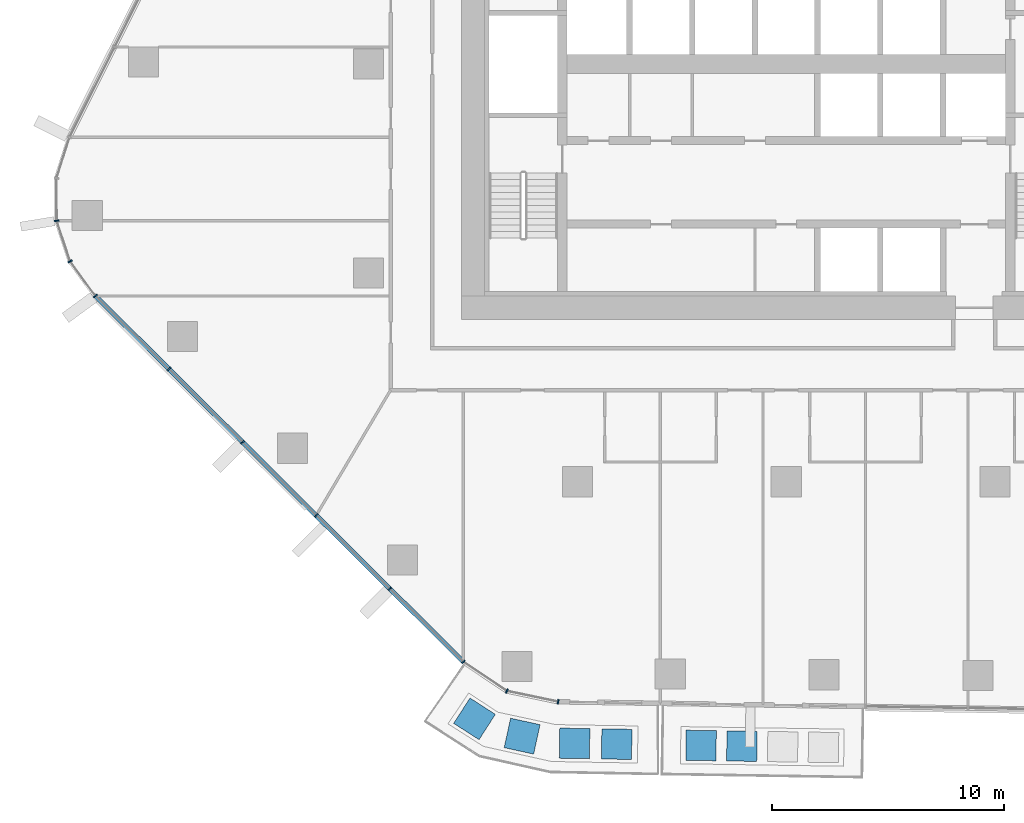
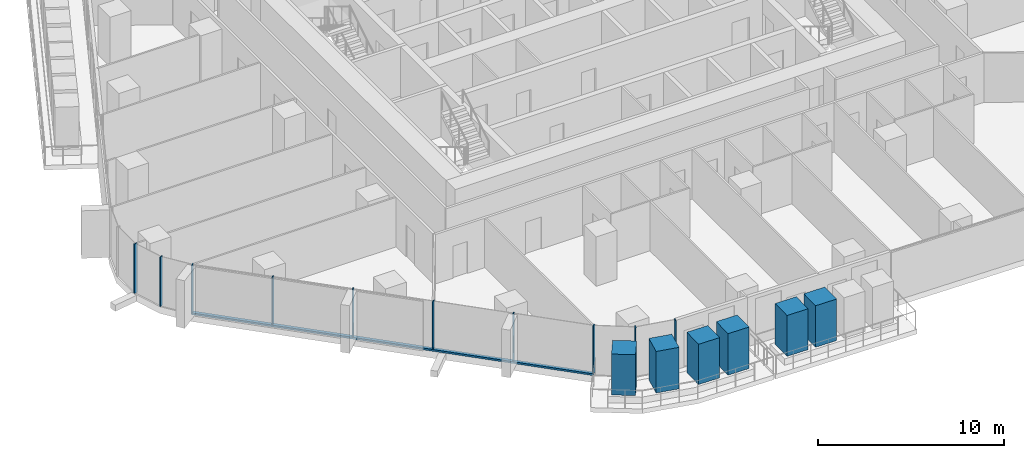
# One storey, part 2 of 24: 17 members, 3 elements without a shape of their own.
"""IFC4 building model written with IfcOpenShell, lengths in metres."""

from ifc_helpers import new_model, si_unit, direction, frame, origin, origin_2d, place, context, subcontext, project, spatial, rectangle, extrude, material, layer, layer_set, material_profile, profile_set, type_object, element, aggregate, save


model = new_model("IFC4")

# Units and contexts
model_context = context("Model", 3, precision=1e-05, world=origin(), true_north=direction((0.0, 1.0)))
body_context = subcontext(model_context, "Body", "Model", "MODEL_VIEW")
ifc_project = project(units=[si_unit("LENGTHUNIT", "METRE"), si_unit("AREAUNIT", "SQUARE_METRE"), si_unit("VOLUMEUNIT", "CUBIC_METRE"), si_unit("PLANEANGLEUNIT", "RADIAN"), si_unit("MASSUNIT", "GRAM", prefix="KILO")], contexts=[model_context])

# Site, building, storey
site_placement = place(None, origin())
site = spatial("IfcSite", under=ifc_project, at=site_placement, CompositionType="ELEMENT")
building_placement = place(site_placement, origin())
building = spatial("IfcBuilding", under=site, at=building_placement, Name="Dongbaek Canopy Tower", CompositionType="ELEMENT")
storey_placement = place(building_placement, frame((0.0, 0.0, 98.89990234375)))
storey = spatial("IfcBuildingStorey", under=building, at=storey_placement, Name="L20", CompositionType="ELEMENT", Elevation=98.89990234375)

# Curtain wall, members
ifc_material_1 = material(Name="Aluminium 6063-T6 pale anodised", Category="aluminium")
ifc_layer = layer(ifc_material_1, 0.199951171875)
ifc_layer_set = layer_set([ifc_layer], Name="CW-1 unitised tower curtain wall")
curtain_wall_type = type_object("IfcCurtainWallType", Name="CW-1 unitised tower curtain wall", PredefinedType="NOTDEFINED", material=ifc_layer_set)
curtain_wall_1_placement = place(storey_placement, origin())
curtain_wall_1 = element("IfcCurtainWall", 1, at=curtain_wall_1_placement, inside=storey, type_object=curtain_wall_type, Name="CW-1 curtain wall K3.1", PredefinedType="NOTDEFINED")
ifc_material_2 = material(Name="Aluminium 6063-T6 pale anodised", Category="aluminium")
ifc_material_profile_1 = material_profile(ifc_material_2, rectangle(XDim=0.199951171875, YDim=0.06005859375, at=origin_2d()), Name="CW-1 mullion 60 x 200")
ifc_profile_set_1 = profile_set([ifc_material_profile_1], Name="Aluminium 6063-T6 pale anodised")
member_type_1 = type_object("IfcMemberType", Name="CW-1 mullion 60 x 200", PredefinedType="MULLION", material=ifc_profile_set_1)
member_1_placement = place(storey_placement, frame((-31.437255859375, -6.75537109375, 0.0), z_axis=(0.0, 0.0, 1.0), x_axis=(-0.986927013659, -0.161167830876, 0.0)))
member_1 = element("IfcMember", 2, at=member_1_placement, type_object=member_type_1, Name="CW-1 mullion K3.1.3", PredefinedType="MULLION", context=body_context, shape_type="SweptSolid", body=[
    extrude(rectangle(XDim=0.199951171875, YDim=0.06005859375, at=origin_2d()), origin(), (0.0, 0.0, 1.0), 3.25),
])
member_2_placement = place(storey_placement, frame((-30.861328125, -8.502685546875, 0.0), z_axis=(0.0, 0.0, 1.0), x_axis=(-0.889270102172, -0.457382427934, 0.0)))
member_2 = element("IfcMember", 3, at=member_2_placement, type_object=member_type_1, Name="CW-1 mullion K3.1.4", PredefinedType="MULLION", context=body_context, shape_type="SweptSolid", body=[
    extrude(rectangle(XDim=0.199951171875, YDim=0.06005859375, at=origin_2d()), origin(), (0.0, 0.0, 1.0), 3.25),
])
member_3_placement = place(storey_placement, frame((-29.770263671875, -9.993896484375, 0.0), z_axis=(0.0, 0.0, 1.0), x_axis=(-0.80706183949, -0.59046692307, 0.0)))
member_3 = element("IfcMember", 4, at=member_3_placement, type_object=member_type_1, Name="CW-1 mullion K3.1.5", PredefinedType="MULLION", context=body_context, shape_type="SweptSolid", body=[
    extrude(rectangle(XDim=0.199951171875, YDim=0.06005859375, at=origin_2d()), origin(), (0.0, 0.0, 1.0), 3.25),
])
aggregate(curtain_wall_1, [member_1, member_2, member_3])

curtain_wall_2_placement = place(storey_placement, origin())
curtain_wall_2 = element("IfcCurtainWall", 5, at=curtain_wall_2_placement, inside=storey, type_object=curtain_wall_type, Name="CW-1 curtain wall F3.1", PredefinedType="NOTDEFINED")
member_4_placement = place(storey_placement, frame((-26.6025390625, -13.143798828125, 0.1201171875), z_axis=(0.0, 0.0, 1.0), x_axis=(-0.705105030819, -0.709102880768, 0.0)))
member_4 = element("IfcMember", 6, at=member_4_placement, type_object=member_type_1, Name="CW-1 mullion F3.1.2", PredefinedType="MULLION", context=body_context, shape_type="SweptSolid", body=[
    extrude(rectangle(XDim=0.199951171875, YDim=0.06005859375, at=origin_2d()), origin(), (0.0, 0.0, 1.0), 3.1298828125),
])
member_5_placement = place(storey_placement, frame((-23.42919921875, -16.299072265625, 0.1201171875), z_axis=(0.0, 0.0, 1.0), x_axis=(-0.705105030819, -0.709102880768, 0.0)))
member_5 = element("IfcMember", 7, at=member_5_placement, type_object=member_type_1, Name="CW-1 mullion F3.1.3", PredefinedType="MULLION", context=body_context, shape_type="SweptSolid", body=[
    extrude(rectangle(XDim=0.199951171875, YDim=0.06005859375, at=origin_2d()), origin(), (0.0, 0.0, 1.0), 3.1298828125),
])
member_6_placement = place(storey_placement, frame((-20.256103515625, -19.45458984375, 0.1201171875), z_axis=(0.0, 0.0, 1.0), x_axis=(-0.705105030819, -0.709102880768, 0.0)))
member_6 = element("IfcMember", 8, at=member_6_placement, type_object=member_type_1, Name="CW-1 mullion F3.1.4", PredefinedType="MULLION", context=body_context, shape_type="SweptSolid", body=[
    extrude(rectangle(XDim=0.199951171875, YDim=0.06005859375, at=origin_2d()), origin(), (0.0, 0.0, 1.0), 3.1298828125),
])
member_7_placement = place(storey_placement, frame((-17.082763671875, -22.60986328125, 0.1201171875), z_axis=(0.0, 0.0, 1.0), x_axis=(-0.705105030819, -0.709102880768, 0.0)))
member_7 = element("IfcMember", 9, at=member_7_placement, type_object=member_type_1, Name="CW-1 mullion F3.1.5", PredefinedType="MULLION", context=body_context, shape_type="SweptSolid", body=[
    extrude(rectangle(XDim=0.199951171875, YDim=0.06005859375, at=origin_2d()), origin(), (0.0, 0.0, 1.0), 3.1298828125),
])
member_8_placement = place(storey_placement, frame((-13.91650390625, -25.75830078125, 0.1201171875), z_axis=(0.0, 0.0, 1.0), x_axis=(-0.705105030819, -0.709102880768, 0.0)))
member_8 = element("IfcMember", 10, at=member_8_placement, type_object=member_type_1, Name="CW-1 mullion F3.1.6", PredefinedType="MULLION", context=body_context, shape_type="SweptSolid", body=[
    extrude(rectangle(XDim=0.199951171875, YDim=0.06005859375, at=origin_2d()), origin(), (0.0, 0.0, 1.0), 3.1298828125),
])

curtain_wall_3_placement = place(storey_placement, origin())
curtain_wall_3 = element("IfcCurtainWall", 11, at=curtain_wall_3_placement, inside=storey, type_object=curtain_wall_type, Name="CW-1 curtain wall K4.1", PredefinedType="NOTDEFINED")
member_9_placement = place(storey_placement, frame((-12.040771484375, -27.016357421875, 0.0), z_axis=(0.0, 0.0, 1.0), x_axis=(-0.38849005689, -0.921452915616, 0.0)))
member_9 = element("IfcMember", 12, at=member_9_placement, type_object=member_type_1, Name="CW-1 mullion K4.1.2", PredefinedType="MULLION", context=body_context, shape_type="SweptSolid", body=[
    extrude(rectangle(XDim=0.199951171875, YDim=0.06005859375, at=origin_2d()), origin(), (0.0, 0.0, 1.0), 3.25),
])
member_10_placement = place(storey_placement, frame((-9.830810546875, -27.48095703125, 0.0), z_axis=(0.0, 0.0, 1.0), x_axis=(-0.205723466931, -0.978610165057, 0.0)))
member_10 = element("IfcMember", 13, at=member_10_placement, type_object=member_type_1, Name="CW-1 mullion K4.1.3", PredefinedType="MULLION", context=body_context, shape_type="SweptSolid", body=[
    extrude(rectangle(XDim=0.199951171875, YDim=0.06005859375, at=origin_2d()), origin(), (0.0, 0.0, 1.0), 3.25),
])
aggregate(curtain_wall_3, [member_9, member_10])

# Member
ifc_material_3 = material(Name="Aluminium 6063-T6 pale anodised", Category="aluminium")
ifc_material_profile_2 = material_profile(ifc_material_3, rectangle(XDim=0.199951171875, YDim=0.1201171875, at=origin_2d()), Name="CW-1 transom 120 x 200")
ifc_profile_set_2 = profile_set([ifc_material_profile_2], Name="Aluminium 6063-T6 pale anodised")
member_type_2 = type_object("IfcMemberType", Name="CW-1 transom 120 x 200", PredefinedType="USERDEFINED", material=ifc_profile_set_2)
member_11_placement = place(storey_placement, frame((-29.770263671875, -9.993896484375, 0.06005859375), z_axis=(0.709102289991, -0.705105624945, 0.0), x_axis=(0.705105624945, 0.709102289991, 0.0)))
member_11 = element("IfcMember", 14, at=member_11_placement, type_object=member_type_2, Name="CW-1 transom F3.1.1", ObjectType="TRANSOM", PredefinedType="USERDEFINED", context=body_context, shape_type="SweptSolid", body=[
    extrude(rectangle(XDim=0.199951171875, YDim=0.1201171875, at=origin_2d()), origin(), (0.0, 0.0, 1.0), 22.357421875),
])

aggregate(curtain_wall_2, [member_4, member_5, member_6, member_7, member_8, member_11])

# Members
ifc_material_4 = material(Name="Concrete C40/50 planter mass with planting", Category="concrete")
ifc_material_profile_3 = material_profile(ifc_material_4, rectangle(XDim=1.300048828125, YDim=1.300048828125, at=origin_2d()), Name="Terrace PLANTER shrub mass 1300 x 1300")
ifc_profile_set_3 = profile_set([ifc_material_profile_3], Name="Concrete C40/50 planter mass with planting")
member_type_3 = type_object("IfcMemberType", Name="Terrace PLANTER shrub mass 1300 x 1300", PredefinedType="USERDEFINED", material=ifc_profile_set_3)
member_12_placement = place(storey_placement, frame((-3.672119140625, -29.365966796875, 0.420166015625), z_axis=(0.0, 0.0, 1.0), x_axis=(-0.015412878639, -0.999881214531, 0.0)))
element("IfcMember", 15, at=member_12_placement, inside=storey, type_object=member_type_3, Name="Planter shrubs L20 4.1", ObjectType="PLANTER", PredefinedType="USERDEFINED", context=body_context, shape_type="SweptSolid", body=[
    extrude(rectangle(XDim=1.300048828125, YDim=1.300048828125, at=origin_2d()), origin(), (0.0, 0.0, 1.0), 2.68994140625),
])
member_13_placement = place(storey_placement, frame((-1.91357421875, -29.39306640625, 0.420166015625), z_axis=(0.0, 0.0, 1.0), x_axis=(-0.015412878639, -0.999881214531, 0.0)))
element("IfcMember", 16, at=member_13_placement, inside=storey, type_object=member_type_3, Name="Planter shrubs L20 4.2", ObjectType="PLANTER", PredefinedType="USERDEFINED", context=body_context, shape_type="SweptSolid", body=[
    extrude(rectangle(XDim=1.300048828125, YDim=1.300048828125, at=origin_2d()), origin(), (0.0, 0.0, 1.0), 2.72998046875),
])
member_14_placement = place(storey_placement, frame((-13.434814453125, -28.218017578125, 0.420166015625), z_axis=(0.0, 0.0, 1.0), x_axis=(-0.541408983578, -0.840759366585, 0.0)))
element("IfcMember", 17, at=member_14_placement, inside=storey, type_object=member_type_3, Name="Planter shrubs L20 8.1", ObjectType="PLANTER", PredefinedType="USERDEFINED", context=body_context, shape_type="SweptSolid", body=[
    extrude(rectangle(XDim=1.300048828125, YDim=1.300048828125, at=origin_2d()), origin(), (0.0, 0.0, 1.0), 2.68994140625),
])
member_15_placement = place(storey_placement, frame((-11.38330078125, -28.9638671875, 0.420166015625), z_axis=(0.0, 0.0, 1.0), x_axis=(-0.213916101138, -0.976852036735, 0.0)))
element("IfcMember", 18, at=member_15_placement, inside=storey, type_object=member_type_3, Name="Planter shrubs L20 8.2", ObjectType="PLANTER", PredefinedType="USERDEFINED", context=body_context, shape_type="SweptSolid", body=[
    extrude(rectangle(XDim=1.300048828125, YDim=1.300048828125, at=origin_2d()), origin(), (0.0, 0.0, 1.0), 2.72998046875),
])
member_16_placement = place(storey_placement, frame((-9.12255859375, -29.276123046875, 0.420166015625), z_axis=(0.0, 0.0, 1.0), x_axis=(-0.017552074933, -0.999845950467, 0.0)))
element("IfcMember", 19, at=member_16_placement, inside=storey, type_object=member_type_3, Name="Planter shrubs L20 8.3", ObjectType="PLANTER", PredefinedType="USERDEFINED", context=body_context, shape_type="SweptSolid", body=[
    extrude(rectangle(XDim=1.300048828125, YDim=1.300048828125, at=origin_2d()), origin(), (0.0, 0.0, 1.0), 2.64990234375),
])
member_17_placement = place(storey_placement, frame((-7.308349609375, -29.30810546875, 0.420166015625), z_axis=(0.0, 0.0, 1.0), x_axis=(-0.017552074933, -0.999845950467, 0.0)))
element("IfcMember", 20, at=member_17_placement, inside=storey, type_object=member_type_3, Name="Planter shrubs L20 8.4", ObjectType="PLANTER", PredefinedType="USERDEFINED", context=body_context, shape_type="SweptSolid", body=[
    extrude(rectangle(XDim=1.300048828125, YDim=1.300048828125, at=origin_2d()), origin(), (0.0, 0.0, 1.0), 2.72998046875),
])

save(model, "model.ifc")
